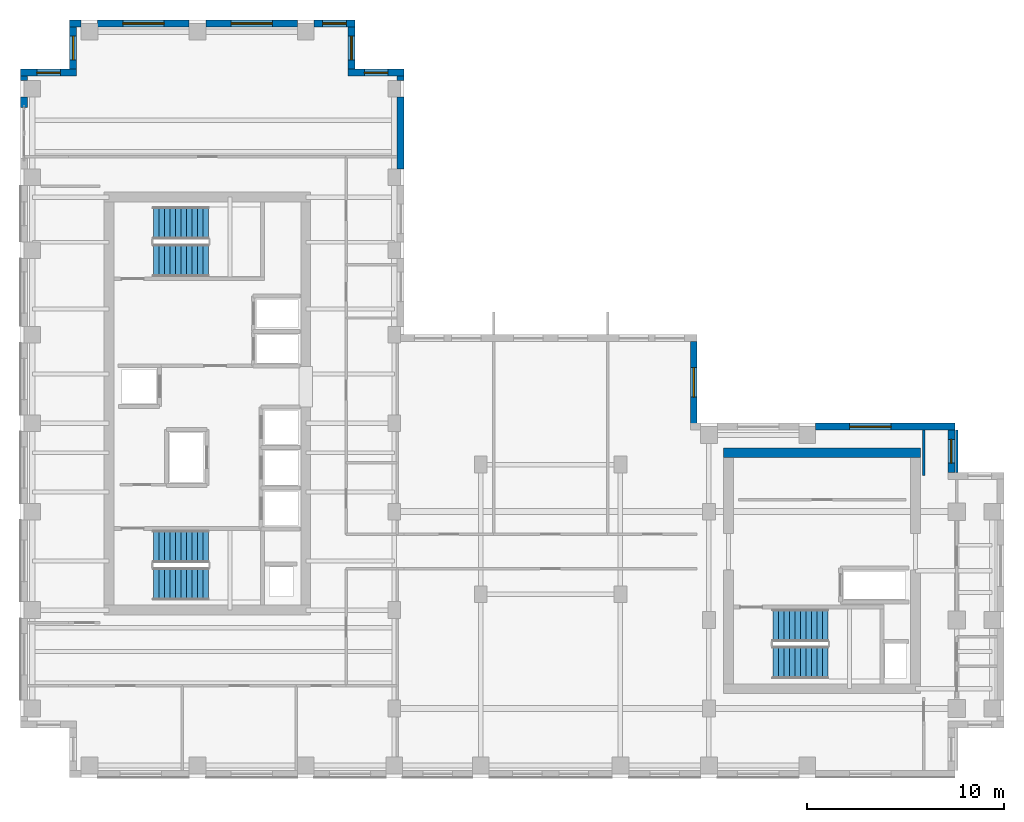
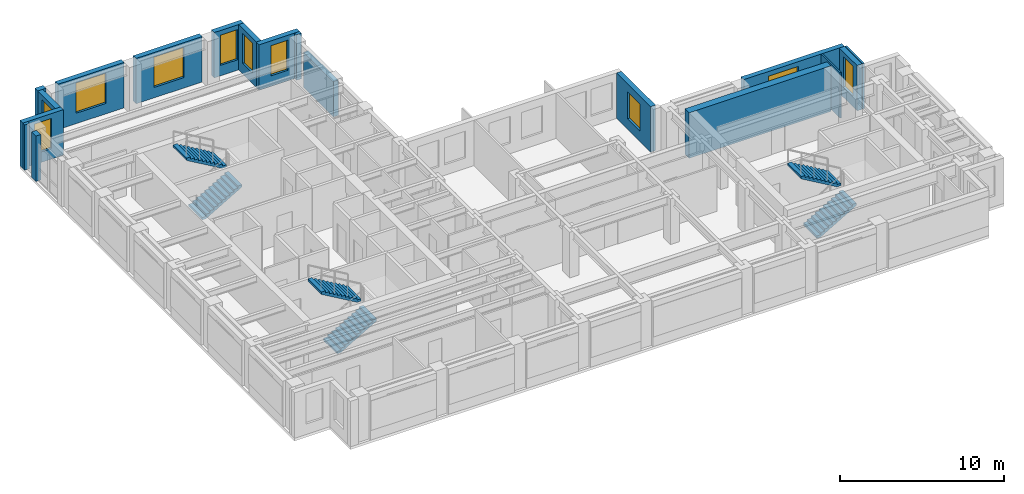
# One storey, part 10 of 12: 18 walls, 10 windows, 6 stair flights, 10 openings, 3 elements without a shape of their own.
"""IFC4 building model written with IfcOpenShell, lengths in metres."""

from ifc_helpers import new_model, si_unit, direction, frame, frame_2d, origin, place, context, subcontext, project, spatial, polyline, rectangle, outline, extrude, source, transform, mapped, material, layer, layer_set, type_object, element, fill, aggregate, save


model = new_model("IFC4")

# Units and contexts
model_context = context("Model", 3, precision=1e-05, world=origin(), true_north=direction((0.0, 1.0)))
body_context = subcontext(model_context, "Body", "Model", "MODEL_VIEW")
ifc_project = project(units=[si_unit("LENGTHUNIT", "METRE"), si_unit("AREAUNIT", "SQUARE_METRE"), si_unit("VOLUMEUNIT", "CUBIC_METRE"), si_unit("PLANEANGLEUNIT", "RADIAN"), si_unit("MASSUNIT", "GRAM", prefix="KILO")], contexts=[model_context])

# Site, building, storey
site_placement = place(None, origin())
site = spatial("IfcSite", under=ifc_project, at=site_placement, CompositionType="ELEMENT")
building_placement = place(site_placement, origin())
building = spatial("IfcBuilding", under=site, at=building_placement, Name="Kharzan Plaza Tower", CompositionType="ELEMENT")
storey_placement = place(building_placement, frame((0.0, 0.0, 255.60009765625)))
storey = spatial("IfcBuildingStorey", under=building, at=storey_placement, Name="L69", CompositionType="ELEMENT", Elevation=255.60009765625)

# Wall, opening, window
ifc_material_1 = material(Name="Concrete C40/50", Category="concrete")
ifc_layer_1 = layer(ifc_material_1, 0.35009765625)
ifc_layer_set_1 = layer_set([ifc_layer_1], Name="Concrete C40/50")
wall_type_1 = type_object("IfcWallType", Name="WL-EXT-MAS-Z4", PredefinedType="SOLIDWALL", material=ifc_layer_set_1)
wall_1_placement = place(storey_placement, frame((19.5, 35.824951171875, 0.0), z_axis=(0.0, 0.0, 1.0), x_axis=(-1.0, 0.0, 0.0)))
wall_1 = element("IfcWall", 1, at=wall_1_placement, inside=storey, type_object=wall_type_1, Name="L69 Masonry-Frame Exterior Wall 06", PredefinedType="SOLIDWALL", context=body_context, shape_type="SweptSolid", body=[
    extrude(rectangle(XDim=2.85009765625, YDim=0.35009765625, at=frame_2d((1.425048828125, 0.0))), origin(), (0.0, 0.0, 1.0), 3.385009765625),
])
opening_1_placement = place(wall_1_placement, frame((0.824951171875, 0.0, 0.780029296875)))
opening_1 = element("IfcOpeningElement", 2, at=opening_1_placement, cuts=wall_1, Name="Opening W3", PredefinedType="OPENING", context=body_context, shape_type="SweptSolid", body=[
    extrude(rectangle(XDim=1.199951171875, YDim=2.25, at=frame_2d((0.60009765625, 1.125))), frame((0.0, 0.18505859375, 0.0), z_axis=(0.0, -1.0, 0.0), x_axis=(1.0, 0.0, 0.0)), (0.0, 0.0, 1.0), 0.3701171875),
])
ifc_material_2 = material(Name="Low-E Double Glazing", Category="glass")
window_type_1 = type_object("IfcWindowType", Name="WN-REC-1200x2100", PartitioningType="SINGLE_PANEL", PredefinedType="WINDOW", material=ifc_material_2)
shared_shape_1 = source(origin(), body_context, "Body", "SweptSolid", [
    extrude(rectangle(XDim=1.199951171875, YDim=2.25, at=frame_2d((0.60009765625, 1.125))), frame((0.0, 0.030029296875, 0.0), z_axis=(0.0, -1.0, 0.0), x_axis=(1.0, 0.0, 0.0)), (0.0, 0.0, 1.0), 0.06005859375),
])
window_1_placement = place(opening_1_placement, origin())
window_1 = element("IfcWindow", 3, at=window_1_placement, inside=storey, type_object=window_type_1, Name="L69 Recessed Solar-Control Window 06-1", OverallHeight=2.25, OverallWidth=1.199951171875, PartitioningType="SINGLE_PANEL", PredefinedType="WINDOW", context=body_context, shape_type="MappedRepresentation", body=[
    mapped(shared_shape_1, transform((0.0, 0.0, 0.0), x_axis=(1.0, 0.0, 0.0), y_axis=(0.0, 1.0, 0.0), z_axis=(0.0, 0.0, 1.0))),
])
fill(opening_1, window_1)

wall_2_placement = place(storey_placement, frame((16.824951171875, 35.998046875, 0.0), z_axis=(0.0, 0.0, 1.0), x_axis=(0.0, 1.0, 0.0)))
wall_2 = element("IfcWall", 4, at=wall_2_placement, inside=storey, type_object=wall_type_1, Name="L69 Masonry-Frame Exterior Wall 07", PredefinedType="SOLIDWALL", context=body_context, shape_type="SweptSolid", body=[
    extrude(rectangle(XDim=2.154052734375, YDim=0.35009765625, at=frame_2d((1.0771484375, 0.0))), origin(), (0.0, 0.0, 1.0), 3.385009765625),
])
opening_2_placement = place(wall_2_placement, frame((0.47705078125, 0.0, 0.780029296875)))
opening_2 = element("IfcOpeningElement", 5, at=opening_2_placement, cuts=wall_2, Name="Opening W3", PredefinedType="OPENING", context=body_context, shape_type="SweptSolid", body=[
    extrude(rectangle(XDim=1.199951171875, YDim=2.25, at=frame_2d((0.60009765625, 1.125))), frame((0.0, 0.18505859375, 0.0), z_axis=(0.0, -1.0, 0.0), x_axis=(1.0, 0.0, 0.0)), (0.0, 0.0, 1.0), 0.3701171875),
])
window_2_placement = place(opening_2_placement, origin())
window_2 = element("IfcWindow", 6, at=window_2_placement, inside=storey, type_object=window_type_1, Name="L69 Recessed Solar-Control Window 07-1", OverallHeight=2.25, OverallWidth=1.199951171875, PartitioningType="SINGLE_PANEL", PredefinedType="WINDOW", context=body_context, shape_type="MappedRepresentation", body=[
    mapped(shared_shape_1, transform((0.0, 0.0, 0.0), x_axis=(1.0, 0.0, 0.0), y_axis=(0.0, 1.0, 0.0), z_axis=(0.0, 0.0, 1.0))),
])
fill(opening_2, window_2)

wall_3_placement = place(storey_placement, frame((17.0, 38.324951171875, 0.0), z_axis=(0.0, 0.0, 1.0), x_axis=(-1.0, 0.0, 0.0)))
wall_3 = element("IfcWall", 7, at=wall_3_placement, inside=storey, type_object=wall_type_1, Name="L69 Masonry-Frame Exterior Wall 08", PredefinedType="SOLIDWALL", context=body_context, shape_type="SweptSolid", body=[
    extrude(rectangle(XDim=2.076904296875, YDim=0.35009765625, at=frame_2d((1.03857421875, 0.0))), origin(), (0.0, 0.0, 1.0), 3.385009765625),
])
opening_3_placement = place(wall_3_placement, frame((0.4384765625, 0.0, 0.780029296875)))
opening_3 = element("IfcOpeningElement", 8, at=opening_3_placement, cuts=wall_3, Name="Opening W3", PredefinedType="OPENING", context=body_context, shape_type="SweptSolid", body=[
    extrude(rectangle(XDim=1.199951171875, YDim=2.25, at=frame_2d((0.60009765625, 1.125))), frame((0.0, 0.18505859375, 0.0), z_axis=(0.0, -1.0, 0.0), x_axis=(1.0, 0.0, 0.0)), (0.0, 0.0, 1.0), 0.3701171875),
])
window_3_placement = place(opening_3_placement, origin())
window_3 = element("IfcWindow", 9, at=window_3_placement, inside=storey, type_object=window_type_1, Name="L69 Recessed Solar-Control Window 08-1", OverallHeight=2.25, OverallWidth=1.199951171875, PartitioningType="SINGLE_PANEL", PredefinedType="WINDOW", context=body_context, shape_type="MappedRepresentation", body=[
    mapped(shared_shape_1, transform((0.0, 0.0, 0.0), x_axis=(1.0, 0.0, 0.0), y_axis=(0.0, 1.0, 0.0), z_axis=(0.0, 0.0, 1.0))),
])
fill(opening_3, window_3)

wall_4_placement = place(storey_placement, frame((14.076904296875, 38.324951171875, 0.0), z_axis=(0.0, 0.0, 1.0), x_axis=(-1.0, 0.0, 0.0)))
wall_4 = element("IfcWall", 10, at=wall_4_placement, inside=storey, type_object=wall_type_1, Name="L69 Masonry-Frame Exterior Wall 09", PredefinedType="SOLIDWALL", context=body_context, shape_type="SweptSolid", body=[
    extrude(rectangle(XDim=4.65380859375, YDim=0.35009765625, at=frame_2d((2.326904296875, 0.0))), origin(), (0.0, 0.0, 1.0), 3.385009765625),
])
opening_4_placement = place(wall_4_placement, frame((1.277099609375, 0.0, 0.780029296875)))
opening_4 = element("IfcOpeningElement", 11, at=opening_4_placement, cuts=wall_4, Name="Opening W6", PredefinedType="OPENING", context=body_context, shape_type="SweptSolid", body=[
    extrude(rectangle(XDim=2.10009765625, YDim=2.25, at=frame_2d((1.050048828125, 1.125))), frame((0.0, 0.18505859375, 0.0), z_axis=(0.0, -1.0, 0.0), x_axis=(1.0, 0.0, 0.0)), (0.0, 0.0, 1.0), 0.3701171875),
])
window_type_2 = type_object("IfcWindowType", Name="WN-EXEC-2100x2250", PartitioningType="SINGLE_PANEL", PredefinedType="WINDOW", material=ifc_material_2)
shared_shape_2 = source(origin(), body_context, "Body", "SweptSolid", [
    extrude(rectangle(XDim=2.10009765625, YDim=2.25, at=frame_2d((1.050048828125, 1.125))), frame((0.0, 0.030029296875, 0.0), z_axis=(0.0, -1.0, 0.0), x_axis=(1.0, 0.0, 0.0)), (0.0, 0.0, 1.0), 0.06005859375),
])
window_4_placement = place(opening_4_placement, origin())
window_4 = element("IfcWindow", 12, at=window_4_placement, inside=storey, type_object=window_type_2, Name="L69 Recessed Solar-Control Window 09-1", OverallHeight=2.25, OverallWidth=2.10009765625, PartitioningType="SINGLE_PANEL", PredefinedType="WINDOW", context=body_context, shape_type="MappedRepresentation", body=[
    mapped(shared_shape_2, transform((0.0, 0.0, 0.0), x_axis=(1.0, 0.0, 0.0), y_axis=(0.0, 1.0, 0.0), z_axis=(0.0, 0.0, 1.0))),
])
fill(opening_4, window_4)

wall_5_placement = place(storey_placement, frame((8.576904296875, 38.324951171875, 0.0), z_axis=(0.0, 0.0, 1.0), x_axis=(-1.0, 0.0, 0.0)))
wall_5 = element("IfcWall", 13, at=wall_5_placement, inside=storey, type_object=wall_type_1, Name="L69 Masonry-Frame Exterior Wall 10", PredefinedType="SOLIDWALL", context=body_context, shape_type="SweptSolid", body=[
    extrude(rectangle(XDim=4.65380859375, YDim=0.35009765625, at=frame_2d((2.326904296875, 0.0))), origin(), (0.0, 0.0, 1.0), 3.385009765625),
])
opening_5_placement = place(wall_5_placement, frame((1.277099609375, 0.0, 0.780029296875)))
opening_5 = element("IfcOpeningElement", 14, at=opening_5_placement, cuts=wall_5, Name="Opening W6", PredefinedType="OPENING", context=body_context, shape_type="SweptSolid", body=[
    extrude(rectangle(XDim=2.10009765625, YDim=2.25, at=frame_2d((1.050048828125, 1.125))), frame((0.0, 0.18505859375, 0.0), z_axis=(0.0, -1.0, 0.0), x_axis=(1.0, 0.0, 0.0)), (0.0, 0.0, 1.0), 0.3701171875),
])
window_5_placement = place(opening_5_placement, origin())
window_5 = element("IfcWindow", 15, at=window_5_placement, inside=storey, type_object=window_type_2, Name="L69 Recessed Solar-Control Window 10-1", OverallHeight=2.25, OverallWidth=2.10009765625, PartitioningType="SINGLE_PANEL", PredefinedType="WINDOW", context=body_context, shape_type="MappedRepresentation", body=[
    mapped(shared_shape_2, transform((0.0, 0.0, 0.0), x_axis=(1.0, 0.0, 0.0), y_axis=(0.0, 1.0, 0.0), z_axis=(0.0, 0.0, 1.0))),
])
fill(opening_5, window_5)

wall_6_placement = place(storey_placement, frame((2.675048828125, 38.152099609375, 0.0), z_axis=(0.0, 0.0, 1.0), x_axis=(0.0, -1.0, 0.0)))
wall_6 = element("IfcWall", 16, at=wall_6_placement, inside=storey, type_object=wall_type_1, Name="L69 Masonry-Frame Exterior Wall 12", PredefinedType="SOLIDWALL", context=body_context, shape_type="SweptSolid", body=[
    extrude(rectangle(XDim=2.154052734375, YDim=0.35009765625, at=frame_2d((1.0771484375, 0.0))), origin(), (0.0, 0.0, 1.0), 3.385009765625),
])
opening_6_placement = place(wall_6_placement, frame((0.47705078125, 0.0, 0.780029296875)))
opening_6 = element("IfcOpeningElement", 17, at=opening_6_placement, cuts=wall_6, Name="Opening W3", PredefinedType="OPENING", context=body_context, shape_type="SweptSolid", body=[
    extrude(rectangle(XDim=1.199951171875, YDim=2.25, at=frame_2d((0.60009765625, 1.125))), frame((0.0, 0.18505859375, 0.0), z_axis=(0.0, -1.0, 0.0), x_axis=(1.0, 0.0, 0.0)), (0.0, 0.0, 1.0), 0.3701171875),
])
window_6_placement = place(opening_6_placement, origin())
window_6 = element("IfcWindow", 18, at=window_6_placement, inside=storey, type_object=window_type_1, Name="L69 Recessed Solar-Control Window 12-1", OverallHeight=2.25, OverallWidth=1.199951171875, PartitioningType="SINGLE_PANEL", PredefinedType="WINDOW", context=body_context, shape_type="MappedRepresentation", body=[
    mapped(shared_shape_1, transform((0.0, 0.0, 0.0), x_axis=(1.0, 0.0, 0.0), y_axis=(0.0, 1.0, 0.0), z_axis=(0.0, 0.0, 1.0))),
])
fill(opening_6, window_6)

wall_7_placement = place(storey_placement, frame((2.85009765625, 35.824951171875, 0.0), z_axis=(0.0, 0.0, 1.0), x_axis=(-1.0, 0.0, 0.0)))
wall_7 = element("IfcWall", 19, at=wall_7_placement, inside=storey, type_object=wall_type_1, Name="L69 Masonry-Frame Exterior Wall 13", PredefinedType="SOLIDWALL", context=body_context, shape_type="SweptSolid", body=[
    extrude(rectangle(XDim=2.85009765625, YDim=0.35009765625, at=frame_2d((1.425048828125, 0.0))), origin(), (0.0, 0.0, 1.0), 3.385009765625),
])
opening_7_placement = place(wall_7_placement, frame((0.824951171875, 0.0, 0.780029296875)))
opening_7 = element("IfcOpeningElement", 20, at=opening_7_placement, cuts=wall_7, Name="Opening W3", PredefinedType="OPENING", context=body_context, shape_type="SweptSolid", body=[
    extrude(rectangle(XDim=1.199951171875, YDim=2.25, at=frame_2d((0.60009765625, 1.125))), frame((0.0, 0.18505859375, 0.0), z_axis=(0.0, -1.0, 0.0), x_axis=(1.0, 0.0, 0.0)), (0.0, 0.0, 1.0), 0.3701171875),
])
window_7_placement = place(opening_7_placement, origin())
window_7 = element("IfcWindow", 21, at=window_7_placement, inside=storey, type_object=window_type_1, Name="L69 Recessed Solar-Control Window 13-1", OverallHeight=2.25, OverallWidth=1.199951171875, PartitioningType="SINGLE_PANEL", PredefinedType="WINDOW", context=body_context, shape_type="MappedRepresentation", body=[
    mapped(shared_shape_1, transform((0.0, 0.0, 0.0), x_axis=(1.0, 0.0, 0.0), y_axis=(0.0, 1.0, 0.0), z_axis=(0.0, 0.0, 1.0))),
])
fill(opening_7, window_7)

wall_8_placement = place(storey_placement, frame((47.324951171875, 15.498046875, 0.0), z_axis=(0.0, 0.0, 1.0), x_axis=(0.0, 1.0, 0.0)))
wall_8 = element("IfcWall", 22, at=wall_8_placement, inside=storey, type_object=wall_type_1, Name="L69 Masonry-Frame Exterior Wall 42", PredefinedType="SOLIDWALL", context=body_context, shape_type="SweptSolid", body=[
    extrude(rectangle(XDim=2.154052734375, YDim=0.35009765625, at=frame_2d((1.0771484375, 0.0))), origin(), (0.0, 0.0, 1.0), 3.385009765625),
])
opening_8_placement = place(wall_8_placement, frame((0.47705078125, 0.0, 0.780029296875)))
opening_8 = element("IfcOpeningElement", 23, at=opening_8_placement, cuts=wall_8, Name="Opening W3", PredefinedType="OPENING", context=body_context, shape_type="SweptSolid", body=[
    extrude(rectangle(XDim=1.199951171875, YDim=2.25, at=frame_2d((0.60009765625, 1.125))), frame((0.0, 0.18505859375, 0.0), z_axis=(0.0, -1.0, 0.0), x_axis=(1.0, 0.0, 0.0)), (0.0, 0.0, 1.0), 0.3701171875),
])
window_8_placement = place(opening_8_placement, origin())
window_8 = element("IfcWindow", 24, at=window_8_placement, inside=storey, type_object=window_type_1, Name="L69 Recessed Solar-Control Window 42-1", OverallHeight=2.25, OverallWidth=1.199951171875, PartitioningType="SINGLE_PANEL", PredefinedType="WINDOW", context=body_context, shape_type="MappedRepresentation", body=[
    mapped(shared_shape_1, transform((0.0, 0.0, 0.0), x_axis=(1.0, 0.0, 0.0), y_axis=(0.0, 1.0, 0.0), z_axis=(0.0, 0.0, 1.0))),
])
fill(opening_8, window_8)

wall_9_placement = place(storey_placement, frame((47.5, 17.824951171875, 0.0), z_axis=(0.0, 0.0, 1.0), x_axis=(-1.0, 0.0, 0.0)))
wall_9 = element("IfcWall", 25, at=wall_9_placement, inside=storey, type_object=wall_type_1, Name="L69 Masonry-Frame Exterior Wall 43", PredefinedType="SOLIDWALL", context=body_context, shape_type="SweptSolid", body=[
    extrude(rectangle(XDim=7.076904296875, YDim=0.35009765625, at=frame_2d((3.53857421875, 0.0))), origin(), (0.0, 0.0, 1.0), 3.385009765625),
])
opening_9_placement = place(wall_9_placement, frame((3.243408203125, 0.0, 0.780029296875)))
opening_9 = element("IfcOpeningElement", 26, at=opening_9_placement, cuts=wall_9, Name="Opening W6", PredefinedType="OPENING", context=body_context, shape_type="SweptSolid", body=[
    extrude(rectangle(XDim=2.10009765625, YDim=2.25, at=frame_2d((1.050048828125, 1.125))), frame((0.0, 0.18505859375, 0.0), z_axis=(0.0, -1.0, 0.0), x_axis=(1.0, 0.0, 0.0)), (0.0, 0.0, 1.0), 0.3701171875),
])
window_9_placement = place(opening_9_placement, origin())
window_9 = element("IfcWindow", 27, at=window_9_placement, inside=storey, type_object=window_type_2, Name="L69 Recessed Solar-Control Window 43-1", OverallHeight=2.25, OverallWidth=2.10009765625, PartitioningType="SINGLE_PANEL", PredefinedType="WINDOW", context=body_context, shape_type="MappedRepresentation", body=[
    mapped(shared_shape_2, transform((0.0, 0.0, 0.0), x_axis=(1.0, 0.0, 0.0), y_axis=(0.0, 1.0, 0.0), z_axis=(0.0, 0.0, 1.0))),
])
fill(opening_9, window_9)

wall_10_placement = place(storey_placement, frame((34.22509765625, 17.998046875, 0.0), z_axis=(0.0, 0.0, 1.0), x_axis=(0.0, 1.0, 0.0)))
wall_10 = element("IfcWall", 28, at=wall_10_placement, inside=storey, type_object=wall_type_1, Name="L69 Masonry-Frame Exterior Wall 46", PredefinedType="SOLIDWALL", context=body_context, shape_type="SweptSolid", body=[
    extrude(rectangle(XDim=4.154052734375, YDim=0.35009765625, at=frame_2d((2.0771484375, 0.0))), origin(), (0.0, 0.0, 1.0), 3.385009765625),
])
opening_10_placement = place(wall_10_placement, frame((1.326904296875, 0.0, 0.780029296875)))
opening_10 = element("IfcOpeningElement", 29, at=opening_10_placement, cuts=wall_10, Name="Opening W5", PredefinedType="OPENING", context=body_context, shape_type="SweptSolid", body=[
    extrude(rectangle(XDim=1.5, YDim=2.0, at=frame_2d((0.75, 1.0))), frame((0.0, 0.18505859375, 0.0), z_axis=(0.0, -1.0, 0.0), x_axis=(1.0, 0.0, 0.0)), (0.0, 0.0, 1.0), 0.3701171875),
])
window_type_3 = type_object("IfcWindowType", Name="WN-SLT-1500x2000", PartitioningType="SINGLE_PANEL", PredefinedType="WINDOW", material=ifc_material_2)
shared_shape_3 = source(origin(), body_context, "Body", "SweptSolid", [
    extrude(rectangle(XDim=1.5, YDim=2.0, at=frame_2d((0.75, 1.0))), frame((0.0, 0.030029296875, 0.0), z_axis=(0.0, -1.0, 0.0), x_axis=(1.0, 0.0, 0.0)), (0.0, 0.0, 1.0), 0.06005859375),
])
window_10_placement = place(opening_10_placement, origin())
window_10 = element("IfcWindow", 30, at=window_10_placement, inside=storey, type_object=window_type_3, Name="L69 Recessed Solar-Control Window 46-1", OverallHeight=2.0, OverallWidth=1.5, PartitioningType="SINGLE_PANEL", PredefinedType="WINDOW", context=body_context, shape_type="MappedRepresentation", body=[
    mapped(shared_shape_3, transform((0.0, 0.0, 0.0), x_axis=(1.0, 0.0, 0.0), y_axis=(0.0, 1.0, 0.0), z_axis=(0.0, 0.0, 1.0))),
])
fill(opening_10, window_10)

# Walls
ifc_material_3 = material(Name="Fire-Rated Gypsum Board Partition", Category="gypsum")
ifc_layer_2 = layer(ifc_material_3, 0.125)
ifc_layer_set_2 = layer_set([ifc_layer_2], Name="Fire-Rated Gypsum Board Partition")
wall_type_2 = type_object("IfcWallType", Name="WL-INT-PART-125", PredefinedType="PARTITIONING", material=ifc_layer_set_2)
shared_shape_4 = source(origin(), body_context, "Body", "SweptSolid", [
    extrude(rectangle(XDim=2.2978515625, YDim=0.125, at=frame_2d((1.14892578125, 0.0))), origin(), (0.0, 0.0, 1.0), 3.385009765625),
])
wall_11_placement = place(storey_placement, frame((45.919921875, 15.35009765625, 0.0), z_axis=(0.0, 0.0, 1.0), x_axis=(0.0, 1.0, 0.0)))
element("IfcWall", 31, at=wall_11_placement, inside=storey, type_object=wall_type_2, Name="L69 Interior Partition SH-RBNE0", PredefinedType="PARTITIONING", context=body_context, shape_type="MappedRepresentation", body=[
    mapped(shared_shape_4, transform((0.0, 0.0, 0.0), x_axis=(1.0, 0.0, 0.0), y_axis=(0.0, 1.0, 0.0), z_axis=(0.0, 0.0, 1.0))),
])
shared_shape_5 = source(origin(), body_context, "Body", "SweptSolid", [
    extrude(rectangle(XDim=0.576904296875, YDim=0.35009765625, at=frame_2d((0.28857421875, 0.0))), origin(), (0.0, 0.0, 1.0), 3.385009765625),
])
wall_12_placement = place(storey_placement, frame((3.076904296875, 38.324951171875, 0.0), z_axis=(0.0, 0.0, 1.0), x_axis=(-1.0, 0.0, 0.0)))
element("IfcWall", 32, at=wall_12_placement, inside=storey, type_object=wall_type_1, Name="L69 Masonry-Frame Exterior Wall 11", PredefinedType="SOLIDWALL", context=body_context, shape_type="MappedRepresentation", body=[
    mapped(shared_shape_5, transform((0.0, 0.0, 0.0), x_axis=(1.0, 0.0, 0.0), y_axis=(0.0, 1.0, 0.0), z_axis=(0.0, 0.0, 1.0))),
])
shared_shape_6 = source(origin(), body_context, "Body", "SweptSolid", [
    extrude(rectangle(XDim=0.22900390625, YDim=0.35009765625, at=frame_2d((0.114501953125, 0.0))), origin(), (0.0, 0.0, 1.0), 3.385009765625),
])
for number, where, z_axis, x_axis, name in (
    (33, (19.324951171875, 35.423095703125, 0.0), (0.0, 0.0, 1.0), (0.0, 1.0, 0.0), "L69 Masonry-Frame Exterior Wall 05"),
    (34, (0.175048828125, 35.652099609375, 0.0), (0.0, 0.0, 1.0), (0.0, -1.0, 0.0), "L69 Masonry-Frame Exterior Wall 14"),
):
    element("IfcWall", number, at=place(storey_placement, frame(where, z_axis=z_axis, x_axis=x_axis)), inside=storey, type_object=wall_type_1, Name=name, PredefinedType="SOLIDWALL", context=body_context, shape_type="MappedRepresentation", body=[
        mapped(shared_shape_6, transform((0.0, 0.0, 0.0), x_axis=(1.0, 0.0, 0.0), y_axis=(0.0, 1.0, 0.0), z_axis=(0.0, 0.0, 1.0))),
    ])
shared_shape_7 = source(origin(), body_context, "Body", "SweptSolid", [
    extrude(rectangle(XDim=0.52685546875, YDim=0.35009765625, at=frame_2d((0.263427734375, 0.0))), origin(), (0.0, 0.0, 1.0), 3.385009765625),
])
wall_13_placement = place(storey_placement, frame((0.175048828125, 34.576904296875, 0.0), z_axis=(0.0, 0.0, 1.0), x_axis=(0.0, -1.0, 0.0)))
element("IfcWall", 35, at=wall_13_placement, inside=storey, type_object=wall_type_1, Name="L69 Masonry-Frame Exterior Wall 15", PredefinedType="SOLIDWALL", context=body_context, shape_type="MappedRepresentation", body=[
    mapped(shared_shape_7, transform((0.0, 0.0, 0.0), x_axis=(1.0, 0.0, 0.0), y_axis=(0.0, 1.0, 0.0), z_axis=(0.0, 0.0, 1.0))),
])
shared_shape_8 = source(origin(), body_context, "Body", "SweptSolid", [
    extrude(rectangle(XDim=2.14794921875, YDim=0.125, at=frame_2d((1.073974609375, 0.0))), origin(), (0.0, 0.0, 1.0), 3.385009765625),
])
wall_14_placement = place(storey_placement, frame((47.60009765625, 15.501953125, 0.0), z_axis=(0.0, 0.0, 1.0), x_axis=(0.0, 1.0, 0.0)))
element("IfcWall", 36, at=wall_14_placement, inside=storey, type_object=wall_type_2, Name="L69 Interior Partition SH-B0W1N", PredefinedType="PARTITIONING", context=body_context, shape_type="MappedRepresentation", body=[
    mapped(shared_shape_8, transform((0.0, 0.0, 0.0), x_axis=(1.0, 0.0, 0.0), y_axis=(0.0, 1.0, 0.0), z_axis=(0.0, 0.0, 1.0))),
])
ifc_material_4 = material(Name="Concrete C50/60", Category="concrete")
ifc_layer_3 = layer(ifc_material_4, 0.5)
ifc_layer_set_3 = layer_set([ifc_layer_3], Name="Concrete C50/60")
wall_type_3 = type_object("IfcWallType", Name="WL-CORE-500", PredefinedType="SHEAR", material=ifc_layer_set_3)
shared_shape_9 = source(origin(), body_context, "Body", "SweptSolid", [
    extrude(rectangle(XDim=10.0, YDim=0.5, at=frame_2d((5.0, 0.0))), origin(), (0.0, 0.0, 1.0), 3.39990234375),
])
wall_15_placement = place(storey_placement, frame((35.75, 16.5, 0.0), z_axis=(0.0, 0.0, 1.0), x_axis=(1.0, 0.0, 0.0)))
element("IfcWall", 37, at=wall_15_placement, inside=storey, type_object=wall_type_3, Name="L69 CORE-B north RC shear wall", PredefinedType="SHEAR", context=body_context, shape_type="MappedRepresentation", body=[
    mapped(shared_shape_9, transform((0.0, 0.0, 0.0), x_axis=(1.0, 0.0, 0.0), y_axis=(0.0, 1.0, 0.0), z_axis=(0.0, 0.0, 1.0))),
])
shared_shape_10 = source(origin(), body_context, "Body", "SweptSolid", [
    extrude(rectangle(XDim=3.65380859375, YDim=0.35009765625, at=frame_2d((1.826904296875, 0.0))), origin(), (0.0, 0.0, 1.0), 2.618896484375),
])
wall_16_placement = place(storey_placement, frame((19.324951171875, 30.923095703125, 0.0), z_axis=(0.0, 0.0, 1.0), x_axis=(0.0, 1.0, 0.0)))
element("IfcWall", 38, at=wall_16_placement, inside=storey, type_object=wall_type_1, Name="L69 Masonry-Frame Exterior Wall 04", PredefinedType="SOLIDWALL", context=body_context, shape_type="MappedRepresentation", body=[
    mapped(shared_shape_10, transform((0.0, 0.0, 0.0), x_axis=(1.0, 0.0, 0.0), y_axis=(0.0, 1.0, 0.0), z_axis=(0.0, 0.0, 1.0))),
])

# Stair, stair flights
stair_type_1 = type_object("IfcStairType", Name="STR-ST-1", PredefinedType="HALF_TURN_STAIR", material=ifc_material_1)
stair_1_placement = place(storey_placement, origin())
stair_1 = element("IfcStair", 39, at=stair_1_placement, inside=storey, type_object=stair_type_1, Name="L69 Protected Exit Stair ST-1", PredefinedType="HALF_TURN_STAIR")
stair_flight_type = type_object("IfcStairFlightType", Name="SFL-1650-R173", PredefinedType="STRAIGHT", material=ifc_material_1)
shared_shape_11 = source(origin(), body_context, "Body", "SweptSolid", [
    extrude(outline(polyline([(-0.0029296875, -0.011962890625), (-0.0029296875, 0.0), (0.0, 0.0), (0.0, 0.16357421875), (0.280029296875, 0.16357421875), (0.280029296875, 0.3271484375), (0.56005859375, 0.3271484375), (0.56005859375, 0.49072265625), (0.840087890625, 0.49072265625), (0.840087890625, 0.654296875), (1.1201171875, 0.654296875), (1.1201171875, 0.81787109375), (1.400146484375, 0.81787109375), (1.400146484375, 0.9814453125), (1.68017578125, 0.9814453125), (1.68017578125, 1.14501953125), (1.960205078125, 1.14501953125), (1.960205078125, 1.30859375), (2.240234375, 1.30859375), (2.240234375, 1.47216796875), (2.520263671875, 1.47216796875), (2.520263671875, 1.6357421875), (2.80029296875, 1.6357421875), (2.80029296875, 1.79931640625), (2.80029296875, 1.462158203125), (0.297119140625, 0.0), (0.297119140625, -0.011962890625), (-0.0029296875, -0.011962890625)])), frame((0.0, 0.824951171875, 0.0), z_axis=(0.0, -1.0, 0.0), x_axis=(1.0, 0.0, 0.0)), (0.0, 0.0, 1.0), 1.64990234375),
])
stair_flight_1_placement = place(storey_placement, frame((6.75, 9.824951171875, 0.0), z_axis=(0.0, 0.0, 1.0), x_axis=(1.0, 0.0, 0.0)))
stair_flight_1 = element("IfcStairFlight", 40, at=stair_flight_1_placement, type_object=stair_flight_type, Name="ST-1 flight 1", NumberOfRisers=11, NumberOfTreads=10, PredefinedType="STRAIGHT", RiserHeight=0.163636364, TreadLength=0.28, context=body_context, shape_type="MappedRepresentation", body=[
    mapped(shared_shape_11, transform((0.0, 0.0, 0.0), x_axis=(1.0, 0.0, 0.0), y_axis=(0.0, 1.0, 0.0), z_axis=(0.0, 0.0, 1.0))),
])
stair_flight_2_placement = place(storey_placement, frame((9.550048828125, 11.72509765625, 1.7998046875), z_axis=(0.0, 0.0, 1.0), x_axis=(-1.0, 0.0, 0.0)))
stair_flight_2 = element("IfcStairFlight", 41, at=stair_flight_2_placement, type_object=stair_flight_type, Name="ST-1 flight 2", NumberOfRisers=11, NumberOfTreads=10, PredefinedType="STRAIGHT", RiserHeight=0.163636364, TreadLength=0.28, context=body_context, shape_type="MappedRepresentation", body=[
    mapped(shared_shape_11, transform((0.0, 0.0, 0.0), x_axis=(1.0, 0.0, 0.0), y_axis=(0.0, 1.0, 0.0), z_axis=(0.0, 0.0, 1.0))),
])
aggregate(stair_1, [stair_flight_1, stair_flight_2])

stair_type_2 = type_object("IfcStairType", Name="STR-ST-2", PredefinedType="HALF_TURN_STAIR", material=ifc_material_1)
stair_2_placement = place(storey_placement, origin())
stair_2 = element("IfcStair", 42, at=stair_2_placement, inside=storey, type_object=stair_type_2, Name="L69 Protected Exit Stair ST-2", PredefinedType="HALF_TURN_STAIR")
stair_flight_3_placement = place(storey_placement, frame((6.75, 26.27490234375, 0.0), z_axis=(0.0, 0.0, 1.0), x_axis=(1.0, 0.0, 0.0)))
stair_flight_3 = element("IfcStairFlight", 43, at=stair_flight_3_placement, type_object=stair_flight_type, Name="ST-2 flight 1", NumberOfRisers=11, NumberOfTreads=10, PredefinedType="STRAIGHT", RiserHeight=0.163636364, TreadLength=0.28, context=body_context, shape_type="MappedRepresentation", body=[
    mapped(shared_shape_11, transform((0.0, 0.0, 0.0), x_axis=(1.0, 0.0, 0.0), y_axis=(0.0, 1.0, 0.0), z_axis=(0.0, 0.0, 1.0))),
])
stair_flight_4_placement = place(storey_placement, frame((9.550048828125, 28.175048828125, 1.7998046875), z_axis=(0.0, 0.0, 1.0), x_axis=(-1.0, 0.0, 0.0)))
stair_flight_4 = element("IfcStairFlight", 44, at=stair_flight_4_placement, type_object=stair_flight_type, Name="ST-2 flight 2", NumberOfRisers=11, NumberOfTreads=10, PredefinedType="STRAIGHT", RiserHeight=0.163636364, TreadLength=0.28, context=body_context, shape_type="MappedRepresentation", body=[
    mapped(shared_shape_11, transform((0.0, 0.0, 0.0), x_axis=(1.0, 0.0, 0.0), y_axis=(0.0, 1.0, 0.0), z_axis=(0.0, 0.0, 1.0))),
])
aggregate(stair_2, [stair_flight_3, stair_flight_4])

stair_type_3 = type_object("IfcStairType", Name="STR-ST-3", PredefinedType="HALF_TURN_STAIR", material=ifc_material_1)
stair_3_placement = place(storey_placement, origin())
stair_3 = element("IfcStair", 45, at=stair_3_placement, inside=storey, type_object=stair_type_3, Name="L69 Protected Exit Stair ST-3", PredefinedType="HALF_TURN_STAIR")
stair_flight_5_placement = place(storey_placement, frame((38.25, 5.824951171875, 0.0), z_axis=(0.0, 0.0, 1.0), x_axis=(1.0, 0.0, 0.0)))
stair_flight_5 = element("IfcStairFlight", 46, at=stair_flight_5_placement, type_object=stair_flight_type, Name="ST-3 flight 1", NumberOfRisers=11, NumberOfTreads=10, PredefinedType="STRAIGHT", RiserHeight=0.163636364, TreadLength=0.28, context=body_context, shape_type="MappedRepresentation", body=[
    mapped(shared_shape_11, transform((0.0, 0.0, 0.0), x_axis=(1.0, 0.0, 0.0), y_axis=(0.0, 1.0, 0.0), z_axis=(0.0, 0.0, 1.0))),
])
stair_flight_6_placement = place(storey_placement, frame((41.050048828125, 7.72509765625, 1.7998046875), z_axis=(0.0, 0.0, 1.0), x_axis=(-1.0, 0.0, 0.0)))
stair_flight_6 = element("IfcStairFlight", 47, at=stair_flight_6_placement, type_object=stair_flight_type, Name="ST-3 flight 2", NumberOfRisers=11, NumberOfTreads=10, PredefinedType="STRAIGHT", RiserHeight=0.163636364, TreadLength=0.28, context=body_context, shape_type="MappedRepresentation", body=[
    mapped(shared_shape_11, transform((0.0, 0.0, 0.0), x_axis=(1.0, 0.0, 0.0), y_axis=(0.0, 1.0, 0.0), z_axis=(0.0, 0.0, 1.0))),
])
aggregate(stair_3, [stair_flight_5, stair_flight_6])

save(model, "model.ifc")
